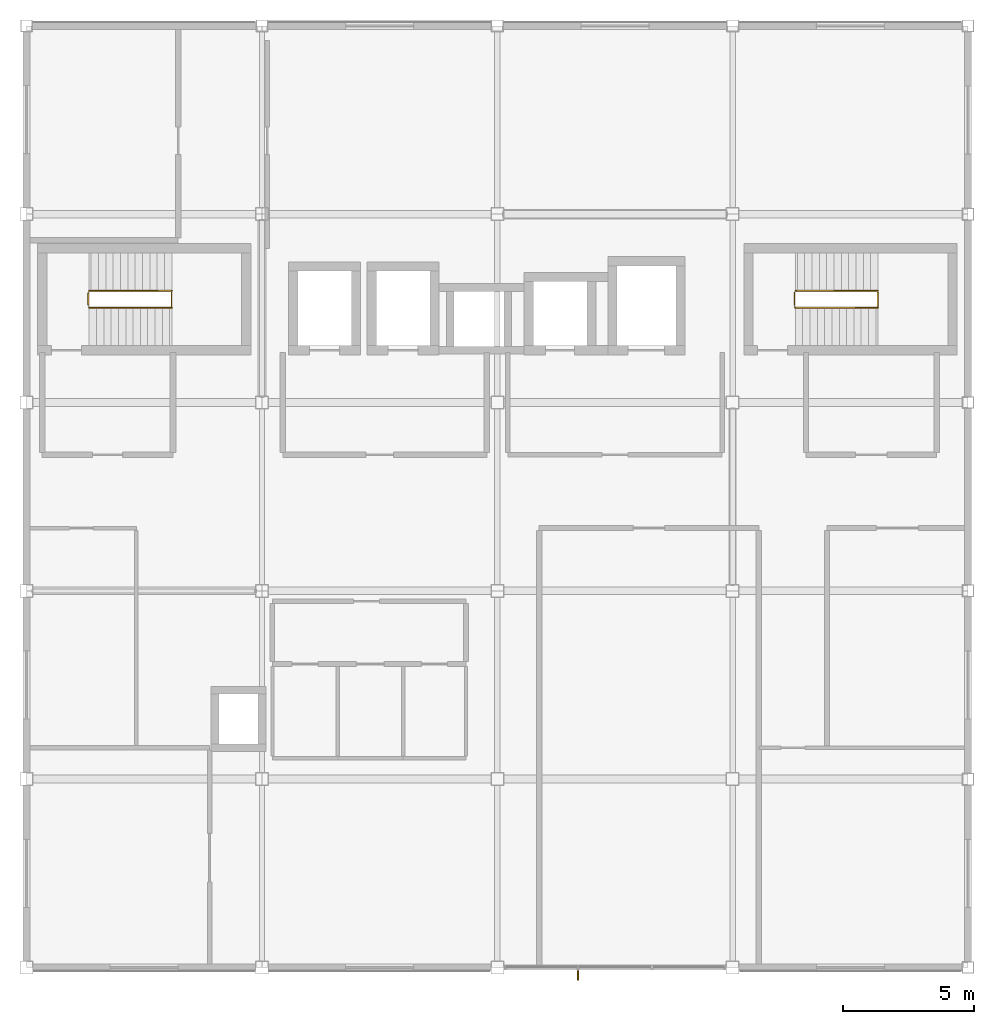
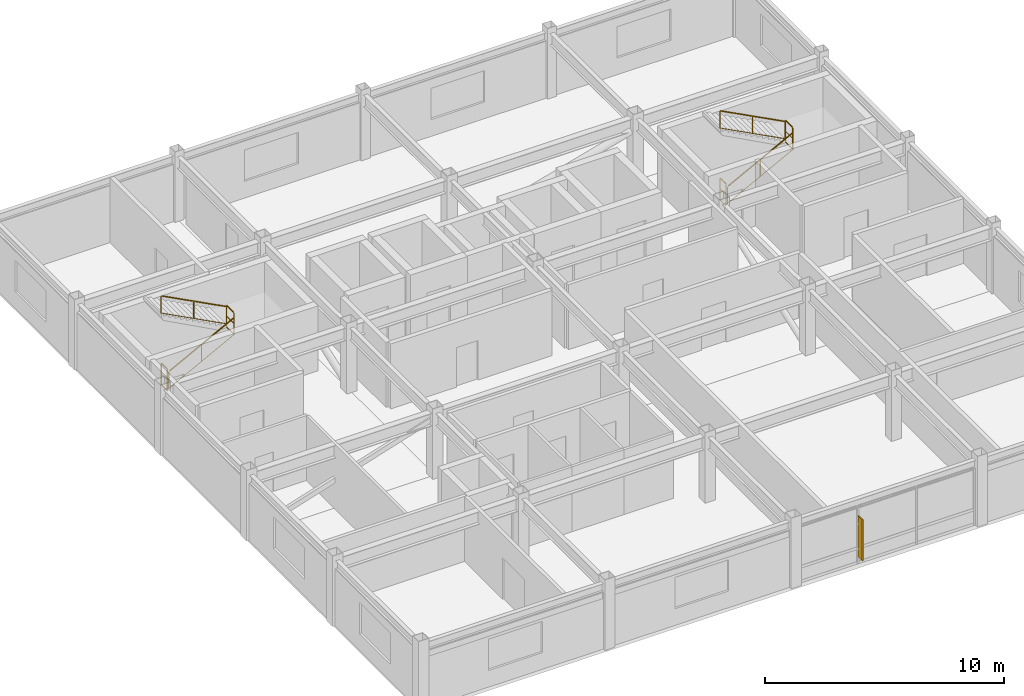
# One storey, part 7 of 7: 8 railings, 1 shading device.
"""IFC4 building model written with IfcOpenShell, lengths in metres."""

from ifc_helpers import new_model, si_unit, direction, frame, origin, origin_2d, place, context, subcontext, project, spatial, rectangle, extrude, material, type_object, element, save


model = new_model("IFC4")

# Units and contexts
model_context = context("Model", 3, precision=1e-05, world=origin(), true_north=direction((0.0, 1.0)))
body_context = subcontext(model_context, "Body", "Model", "MODEL_VIEW")
ifc_project = project(units=[si_unit("LENGTHUNIT", "METRE"), si_unit("AREAUNIT", "SQUARE_METRE"), si_unit("VOLUMEUNIT", "CUBIC_METRE"), si_unit("PLANEANGLEUNIT", "RADIAN"), si_unit("MASSUNIT", "GRAM", prefix="KILO")], contexts=[model_context])

# Site, building, storey
site_placement = place(None, origin())
site = spatial("IfcSite", under=ifc_project, at=site_placement, CompositionType="ELEMENT")
building_placement = place(site_placement, origin())
building = spatial("IfcBuilding", under=site, at=building_placement, Name="Kazanami Central Library", CompositionType="ELEMENT")
storey_placement = place(building_placement, frame((0.0, 0.0, 27.800048828125)))
storey = spatial("IfcBuildingStorey", under=building, at=storey_placement, Name="L08", CompositionType="ELEMENT", Elevation=27.800048828125)

# Railings
ifc_material_1 = material(Name="Stainless Steel SUS304", Category="steel")
railing_type_1 = type_object("IfcRailingType", Name="RAL-GR-S1", PredefinedType="GUARDRAIL", material=ifc_material_1)
railing_1_placement = place(storey_placement, frame((128.360107421875, 82.89501953125, 0.0)))
element("IfcRailing", 1, at=railing_1_placement, inside=storey, type_object=railing_type_1, Name="Stair Well Guard ST-01 L08", PredefinedType="GUARDRAIL", context=body_context, shape_type="SweptSolid", body=[
    extrude(rectangle(XDim=0.0439453125, YDim=0.0439453125, at=origin_2d()), frame((0.0, 0.02587890625, 1.1279296875), z_axis=(0.0, 1.0, 0.0), x_axis=(-1.0, 0.0, 0.0)), (0.0, 0.0, 1.0), 0.4580078125),
    extrude(rectangle(XDim=0.02392578125, YDim=0.02392578125, at=origin_2d()), frame((0.0, 0.02587890625, 0.015869140625), z_axis=(0.0, 1.0, 0.0), x_axis=(-1.0, 0.0, 0.0)), (0.0, 0.0, 1.0), 0.4580078125),
    extrude(rectangle(XDim=0.02392578125, YDim=0.02392578125, at=origin_2d()), frame((0.0, 0.02587890625, 0.574951171875), z_axis=(0.0, 1.0, 0.0), x_axis=(-1.0, 0.0, 0.0)), (0.0, 0.0, 1.0), 0.4580078125),
    extrude(rectangle(XDim=0.035888671875, YDim=0.035888671875, at=origin_2d()), origin(), (0.0, 0.0, 1.0), 1.10205078125),
    extrude(rectangle(XDim=0.035888671875, YDim=0.035888671875, at=origin_2d()), frame((0.0, 0.510009765625, 0.0)), (0.0, 0.0, 1.0), 1.10205078125),
])
railing_2_placement = place(storey_placement, frame((131.548095703125, 82.844970703125, 1.800048828125)))
element("IfcRailing", 2, at=railing_2_placement, inside=storey, type_object=railing_type_1, Name="Half-Landing Well Guard ST-01 L08", PredefinedType="GUARDRAIL", context=body_context, shape_type="SweptSolid", body=[
    extrude(rectangle(XDim=0.0439453125, YDim=0.0439453125, at=origin_2d()), frame((0.0, 0.02587890625, 1.1279296875), z_axis=(0.0, 1.0, 0.0), x_axis=(-1.0, 0.0, 0.0)), (0.0, 0.0, 1.0), 0.55810546875),
    extrude(rectangle(XDim=0.02392578125, YDim=0.02392578125, at=origin_2d()), frame((0.0, 0.02587890625, 0.015869140625), z_axis=(0.0, 1.0, 0.0), x_axis=(-1.0, 0.0, 0.0)), (0.0, 0.0, 1.0), 0.55810546875),
    extrude(rectangle(XDim=0.02392578125, YDim=0.02392578125, at=origin_2d()), frame((0.0, 0.02587890625, 0.574951171875), z_axis=(0.0, 1.0, 0.0), x_axis=(-1.0, 0.0, 0.0)), (0.0, 0.0, 1.0), 0.55810546875),
    extrude(rectangle(XDim=0.035888671875, YDim=0.035888671875, at=origin_2d()), origin(), (0.0, 0.0, 1.0), 1.10205078125),
    extrude(rectangle(XDim=0.035888671875, YDim=0.035888671875, at=origin_2d()), frame((0.0, 0.610107421875, 0.0)), (0.0, 0.0, 1.0), 1.10205078125),
])
railing_3_placement = place(storey_placement, frame((155.360107421875, 82.89501953125, 0.0)))
element("IfcRailing", 3, at=railing_3_placement, inside=storey, type_object=railing_type_1, Name="Stair Well Guard ST-02 L08", PredefinedType="GUARDRAIL", context=body_context, shape_type="SweptSolid", body=[
    extrude(rectangle(XDim=0.0439453125, YDim=0.0439453125, at=origin_2d()), frame((0.0, 0.02587890625, 1.1279296875), z_axis=(0.0, 1.0, 0.0), x_axis=(-1.0, 0.0, 0.0)), (0.0, 0.0, 1.0), 0.4580078125),
    extrude(rectangle(XDim=0.02392578125, YDim=0.02392578125, at=origin_2d()), frame((0.0, 0.02587890625, 0.015869140625), z_axis=(0.0, 1.0, 0.0), x_axis=(-1.0, 0.0, 0.0)), (0.0, 0.0, 1.0), 0.4580078125),
    extrude(rectangle(XDim=0.02392578125, YDim=0.02392578125, at=origin_2d()), frame((0.0, 0.02587890625, 0.574951171875), z_axis=(0.0, 1.0, 0.0), x_axis=(-1.0, 0.0, 0.0)), (0.0, 0.0, 1.0), 0.4580078125),
    extrude(rectangle(XDim=0.035888671875, YDim=0.035888671875, at=origin_2d()), origin(), (0.0, 0.0, 1.0), 1.10205078125),
    extrude(rectangle(XDim=0.035888671875, YDim=0.035888671875, at=origin_2d()), frame((0.0, 0.510009765625, 0.0)), (0.0, 0.0, 1.0), 1.10205078125),
])
railing_4_placement = place(storey_placement, frame((158.548095703125, 82.844970703125, 1.800048828125)))
element("IfcRailing", 4, at=railing_4_placement, inside=storey, type_object=railing_type_1, Name="Half-Landing Well Guard ST-02 L08", PredefinedType="GUARDRAIL", context=body_context, shape_type="SweptSolid", body=[
    extrude(rectangle(XDim=0.0439453125, YDim=0.0439453125, at=origin_2d()), frame((0.0, 0.02587890625, 1.1279296875), z_axis=(0.0, 1.0, 0.0), x_axis=(-1.0, 0.0, 0.0)), (0.0, 0.0, 1.0), 0.55810546875),
    extrude(rectangle(XDim=0.02392578125, YDim=0.02392578125, at=origin_2d()), frame((0.0, 0.02587890625, 0.015869140625), z_axis=(0.0, 1.0, 0.0), x_axis=(-1.0, 0.0, 0.0)), (0.0, 0.0, 1.0), 0.55810546875),
    extrude(rectangle(XDim=0.02392578125, YDim=0.02392578125, at=origin_2d()), frame((0.0, 0.02587890625, 0.574951171875), z_axis=(0.0, 1.0, 0.0), x_axis=(-1.0, 0.0, 0.0)), (0.0, 0.0, 1.0), 0.55810546875),
    extrude(rectangle(XDim=0.035888671875, YDim=0.035888671875, at=origin_2d()), origin(), (0.0, 0.0, 1.0), 1.10205078125),
    extrude(rectangle(XDim=0.035888671875, YDim=0.035888671875, at=origin_2d()), frame((0.0, 0.610107421875, 0.0)), (0.0, 0.0, 1.0), 1.10205078125),
])
railing_type_2 = type_object("IfcRailingType", Name="RAL-HR-01", PredefinedType="HANDRAIL", material=ifc_material_1)
for number, where, name in (
    (5, (128.39404296875, 82.824951171875, 0.14990234375), "Stair Handrail ST-01 Flight 1 (L08)"),
    (6, (155.39404296875, 82.824951171875, 0.14990234375), "Stair Handrail ST-02 Flight 1 (L08)"),
):
    element("IfcRailing", number, at=place(storey_placement, frame(where)), inside=storey, type_object=railing_type_2, Name=name, PredefinedType="HANDRAIL", context=body_context, shape_type="SweptSolid", body=[
        extrude(rectangle(XDim=0.0439453125, YDim=0.0439453125, at=origin_2d()), frame((0.02294921875, 0.0, 0.889892578125), z_axis=(0.886059640598, 0.0, 0.463571260222), x_axis=(0.0, 1.0, 0.0)), (0.0, 0.0, 1.0), 3.507568359375),
        extrude(rectangle(XDim=0.02392578125, YDim=0.02392578125, at=origin_2d()), frame((0.02294921875, 0.0, 0.028076171875), z_axis=(0.886059640598, 0.0, 0.463571260222), x_axis=(0.0, 1.0, 0.0)), (0.0, 0.0, 1.0), 3.507568359375),
        extrude(rectangle(XDim=0.035888671875, YDim=0.035888671875, at=origin_2d()), origin(), (0.0, 0.0, 1.0), 0.85205078125),
        extrude(rectangle(XDim=0.035888671875, YDim=0.035888671875, at=origin_2d()), frame((1.5771484375, 0.0, 0.8251953125)), (0.0, 0.0, 1.0), 0.85205078125),
        extrude(rectangle(XDim=0.035888671875, YDim=0.035888671875, at=origin_2d()), frame((3.154052734375, 0.0, 1.650146484375)), (0.0, 0.0, 1.0), 0.85205078125),
    ])
railing_type_3 = type_object("IfcRailingType", Name="RAL-HR-02", PredefinedType="HANDRAIL", material=ifc_material_1)
for number, where, name in (
    (7, (131.553955078125, 83.47509765625, 1.949951171875), "Stair Handrail ST-01 Flight 2 (L08)"),
    (8, (158.553955078125, 83.47509765625, 1.949951171875), "Stair Handrail ST-02 Flight 2 (L08)"),
):
    element("IfcRailing", number, at=place(storey_placement, frame(where)), inside=storey, type_object=railing_type_3, Name=name, PredefinedType="HANDRAIL", context=body_context, shape_type="SweptSolid", body=[
        extrude(rectangle(XDim=0.0439453125, YDim=0.0439453125, at=origin_2d()), frame((-0.02294921875, 0.0, 0.909912109375), z_axis=(-0.886087811587, 0.0, 0.463517410845), x_axis=(0.0, -1.0, 0.0)), (0.0, 0.0, 1.0), 3.507568359375),
        extrude(rectangle(XDim=0.02392578125, YDim=0.02392578125, at=origin_2d()), frame((-0.02294921875, 0.0, 0.028076171875), z_axis=(-0.886087811587, 0.0, 0.463517410845), x_axis=(0.0, -1.0, 0.0)), (0.0, 0.0, 1.0), 3.507568359375),
        extrude(rectangle(XDim=0.035888671875, YDim=0.035888671875, at=origin_2d()), origin(), (0.0, 0.0, 1.0), 0.8720703125),
        extrude(rectangle(XDim=0.035888671875, YDim=0.035888671875, at=origin_2d()), frame((-1.5771484375, 0.0, 0.824951171875)), (0.0, 0.0, 1.0), 0.8720703125),
        extrude(rectangle(XDim=0.035888671875, YDim=0.035888671875, at=origin_2d()), frame((-3.154052734375, 0.0, 1.64990234375)), (0.0, 0.0, 1.0), 0.8720703125),
    ])

# Shading device
ifc_material_2 = material(Name="Anodised Bronze-Grey Aluminium A6063-T5", Category="aluminium")
shading_device_type = type_object("IfcShadingDeviceType", Name="SHD-FIN-1", PredefinedType="USERDEFINED", material=ifc_material_2)
shading_device_placement = place(storey_placement, frame((147.083251953125, 57.300048828125, 0.407470703125), z_axis=(0.0, 0.0, 1.0), x_axis=(1.0, 0.0, 0.0)))
element("IfcShadingDevice", 9, at=shading_device_placement, inside=storey, type_object=shading_device_type, Name="Vertical Solar Fin SF-01 L08 S-J-16.1", ObjectType="SOLAR FIN", PredefinedType="USERDEFINED", context=body_context, shape_type="SweptSolid", body=[
    extrude(rectangle(XDim=0.06005859375, YDim=0.360107421875, at=origin_2d()), origin(), (0.0, 0.0, 1.0), 2.10009765625),
])

save(model, "model.ifc")
